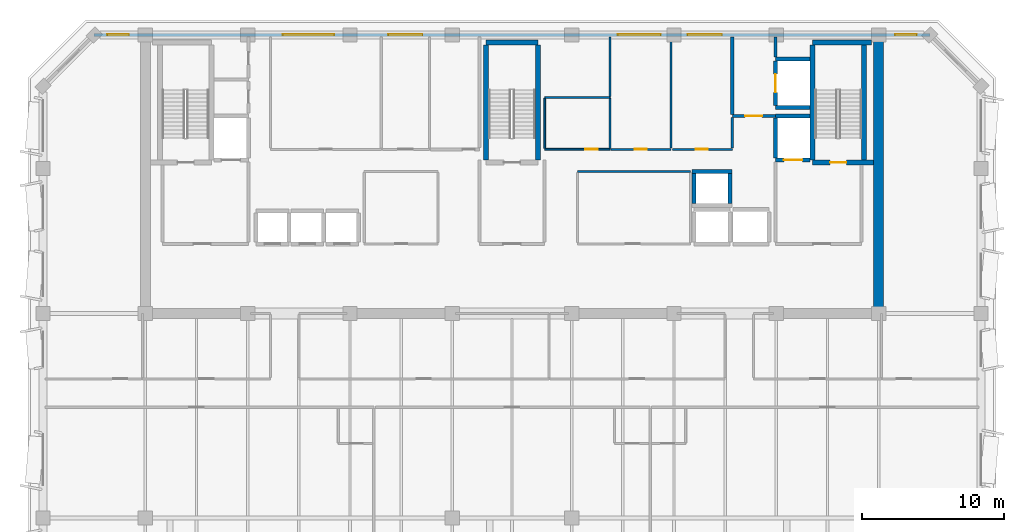
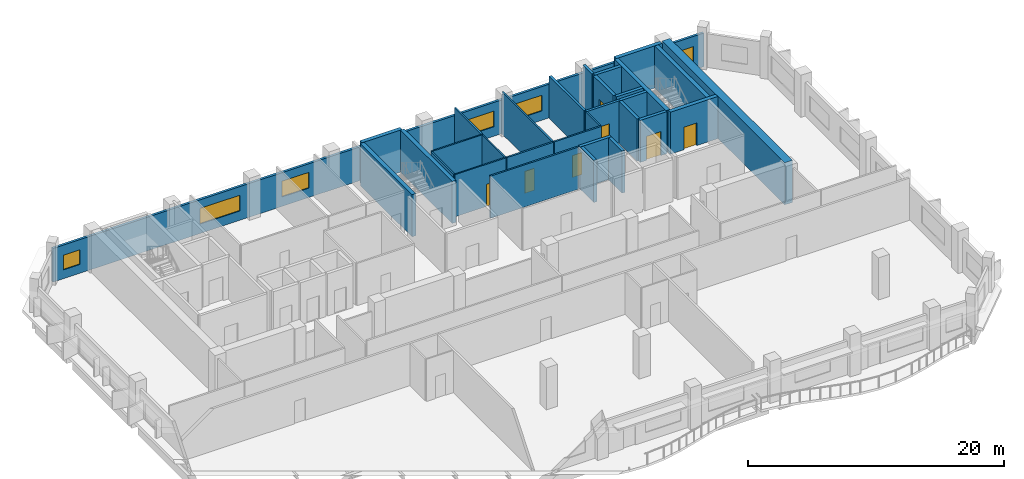
# One storey, part 6 of 10: 31 walls, 7 doors, 6 windows, 13 openings.
"""IFC4 building model written with IfcOpenShell, lengths in metres."""

from ifc_helpers import new_model, si_unit, direction, frame, frame_2d, origin, place, context, subcontext, project, spatial, rectangle, extrude, material, layer, layer_set, type_object, element, fill, save


model = new_model("IFC4")

# Units and contexts
model_context = context("Model", 3, precision=1e-05, world=origin(), true_north=direction((0.0, 1.0)))
body_context = subcontext(model_context, "Body", "Model", "MODEL_VIEW")
ifc_project = project(units=[si_unit("LENGTHUNIT", "METRE"), si_unit("AREAUNIT", "SQUARE_METRE"), si_unit("VOLUMEUNIT", "CUBIC_METRE"), si_unit("PLANEANGLEUNIT", "RADIAN"), si_unit("MASSUNIT", "GRAM", prefix="KILO")], contexts=[model_context])

# Site, building, storey
site_placement = place(None, origin())
site = spatial("IfcSite", under=ifc_project, at=site_placement, CompositionType="ELEMENT")
building_placement = place(site_placement, origin())
building = spatial("IfcBuilding", under=site, at=building_placement, Name="Kaelvorn Grand Hotel", CompositionType="ELEMENT")
storey_placement = place(building_placement, frame((0.0, 0.0, 290.300048828125)))
storey = spatial("IfcBuildingStorey", under=building, at=storey_placement, Name="L71", CompositionType="ELEMENT", Elevation=290.300048828125)

# Wall
ifc_material_1 = material(Name="Concrete C50/60", Category="concrete")
ifc_layer_1 = layer(ifc_material_1, 0.699951171875)
ifc_layer_set_1 = layer_set([ifc_layer_1], Name="Concrete C50/60")
wall_type_1 = type_object("IfcWallType", Name="WL-CORE-700-C50", PredefinedType="SHEAR", material=ifc_layer_set_1)
wall_1_placement = place(storey_placement, frame((67.800048828125, 29.39990234375, 0.0), z_axis=(0.0, 0.0, 1.0), x_axis=(0.0, 1.0, 0.0)))
element("IfcWall", 1, at=wall_1_placement, inside=storey, type_object=wall_type_1, Name="L71 Rear-Core East Shear Wall", PredefinedType="SHEAR", context=body_context, shape_type="SweptSolid", body=[
    extrude(rectangle(XDim=19.2001953125, YDim=0.699951171875, at=frame_2d((9.60009765625, 0.0))), origin(), (0.0, 0.0, 1.0), 4.02001953125),
])

# Wall, openings, windows
ifc_material_2 = material(Name="Concrete C40/50", Category="concrete")
ifc_layer_2 = layer(ifc_material_2, 0.219970703125)
ifc_layer_set_2 = layer_set([ifc_layer_2], Name="Concrete C40/50")
wall_type_2 = type_object("IfcWallType", Name="WL-EXT-220-C40", PredefinedType="SOLIDWALL", material=ifc_layer_set_2)
wall_2_placement = place(storey_placement, frame((71.39990234375, 49.0, 0.0), z_axis=(0.0, 0.0, 1.0), x_axis=(-1.0, 0.0, 0.0)))
wall_2 = element("IfcWall", 2, at=wall_2_placement, inside=storey, type_object=wall_type_2, Name="L71 Exterior Architectural Concrete Wall 05", PredefinedType="SOLIDWALL", context=body_context, shape_type="SweptSolid", body=[
    extrude(rectangle(XDim=58.7998046875, YDim=0.219970703125, at=frame_2d((29.39990234375, 0.0))), origin(), (0.0, 0.0, 1.0), 3.219970703125),
])
opening_1_placement = place(wall_2_placement, frame((56.364990234375, 0.0, 0.85009765625)))
opening_1 = element("IfcOpeningElement", 3, at=opening_1_placement, cuts=wall_2, Name="Opening W10", PredefinedType="OPENING", context=body_context, shape_type="SweptSolid", body=[
    extrude(rectangle(XDim=1.5, YDim=1.39990234375, at=frame_2d((0.75, 0.699951171875))), frame((0.0, 0.1201171875, 0.0), z_axis=(0.0, -1.0, 0.0), x_axis=(1.0, 0.0, 0.0)), (0.0, 0.0, 1.0), 0.239990234375),
])
opening_2_placement = place(wall_2_placement, frame((0.93505859375, 0.0, 0.85009765625)))
opening_2 = element("IfcOpeningElement", 4, at=opening_2_placement, cuts=wall_2, Name="Opening W10", PredefinedType="OPENING", context=body_context, shape_type="SweptSolid", body=[
    extrude(rectangle(XDim=1.5, YDim=1.39990234375, at=frame_2d((0.75, 0.699951171875))), frame((0.0, 0.1201171875, 0.0), z_axis=(0.0, -1.0, 0.0), x_axis=(1.0, 0.0, 0.0)), (0.0, 0.0, 1.0), 0.239990234375),
])
opening_3_placement = place(wall_2_placement, frame((41.9150390625, 0.0, 0.89990234375)))
opening_3 = element("IfcOpeningElement", 5, at=opening_3_placement, cuts=wall_2, Name="Opening W3", PredefinedType="OPENING", context=body_context, shape_type="SweptSolid", body=[
    extrude(rectangle(XDim=3.60009765625, YDim=1.5, at=frame_2d((1.800048828125, 0.75))), frame((0.0, 0.1201171875, 0.0), z_axis=(0.0, -1.0, 0.0), x_axis=(1.0, 0.0, 0.0)), (0.0, 0.0, 1.0), 0.239990234375),
])
opening_4_placement = place(wall_2_placement, frame((35.699951171875, 0.0, 0.89990234375)))
opening_4 = element("IfcOpeningElement", 6, at=opening_4_placement, cuts=wall_2, Name="Opening W6", PredefinedType="OPENING", context=body_context, shape_type="SweptSolid", body=[
    extrude(rectangle(XDim=2.39990234375, YDim=1.5, at=frame_2d((1.199951171875, 0.75))), frame((0.0, 0.1201171875, 0.0), z_axis=(0.0, -1.0, 0.0), x_axis=(1.0, 0.0, 0.0)), (0.0, 0.0, 1.0), 0.239990234375),
])
opening_5_placement = place(wall_2_placement, frame((18.949951171875, 0.0, 0.89990234375)))
opening_5 = element("IfcOpeningElement", 7, at=opening_5_placement, cuts=wall_2, Name="Opening W5", PredefinedType="OPENING", context=body_context, shape_type="SweptSolid", body=[
    extrude(rectangle(XDim=3.0, YDim=1.5, at=frame_2d((1.5, 0.75))), frame((0.0, 0.1201171875, 0.0), z_axis=(0.0, -1.0, 0.0), x_axis=(1.0, 0.0, 0.0)), (0.0, 0.0, 1.0), 0.239990234375),
])
opening_6_placement = place(wall_2_placement, frame((14.635009765625, 0.0, 0.89990234375)))
opening_6 = element("IfcOpeningElement", 8, at=opening_6_placement, cuts=wall_2, Name="Opening W6", PredefinedType="OPENING", context=body_context, shape_type="SweptSolid", body=[
    extrude(rectangle(XDim=2.39990234375, YDim=1.5, at=frame_2d((1.199951171875, 0.75))), frame((0.0, 0.1201171875, 0.0), z_axis=(0.0, -1.0, 0.0), x_axis=(1.0, 0.0, 0.0)), (0.0, 0.0, 1.0), 0.239990234375),
])
ifc_material_3 = material(Name="Laminated Low-E Glass", Category="glass")
window_type_1 = type_object("IfcWindowType", Name="WIN-COR-1500x1400", PartitioningType="SINGLE_PANEL", PredefinedType="WINDOW", material=ifc_material_3)
window_1_placement = place(opening_1_placement, origin())
window_1 = element("IfcWindow", 9, at=window_1_placement, inside=storey, type_object=window_type_1, Name="L71 North Wing Ribbon Window NW01", OverallHeight=1.39990234375, OverallWidth=1.5, PartitioningType="SINGLE_PANEL", PredefinedType="WINDOW", context=body_context, shape_type="SweptSolid", body=[
    extrude(rectangle(XDim=1.5, YDim=1.39990234375, at=frame_2d((0.75, 0.699951171875))), frame((0.0, 0.030029296875, 0.0), z_axis=(0.0, -1.0, 0.0), x_axis=(1.0, 0.0, 0.0)), (0.0, 0.0, 1.0), 0.06005859375),
])
fill(opening_1, window_1)
window_2_placement = place(opening_2_placement, origin())
window_2 = element("IfcWindow", 10, at=window_2_placement, inside=storey, type_object=window_type_1, Name="L71 North Wing Ribbon Window NW02", OverallHeight=1.39990234375, OverallWidth=1.5, PartitioningType="SINGLE_PANEL", PredefinedType="WINDOW", context=body_context, shape_type="SweptSolid", body=[
    extrude(rectangle(XDim=1.5, YDim=1.39990234375, at=frame_2d((0.75, 0.699951171875))), frame((0.0, 0.030029296875, 0.0), z_axis=(0.0, -1.0, 0.0), x_axis=(1.0, 0.0, 0.0)), (0.0, 0.0, 1.0), 0.06005859375),
])
fill(opening_2, window_2)
window_type_2 = type_object("IfcWindowType", Name="WIN-NTH-2400x1500", PartitioningType="SINGLE_PANEL", PredefinedType="WINDOW", material=ifc_material_3)
window_3_placement = place(opening_4_placement, origin())
window_3 = element("IfcWindow", 11, at=window_3_placement, inside=storey, type_object=window_type_2, Name="L71 North Core Clerestory Ribbon Window NC04", OverallHeight=1.5, OverallWidth=2.39990234375, PartitioningType="SINGLE_PANEL", PredefinedType="WINDOW", context=body_context, shape_type="SweptSolid", body=[
    extrude(rectangle(XDim=2.39990234375, YDim=1.5, at=frame_2d((1.199951171875, 0.75))), frame((0.0, 0.030029296875, 0.0), z_axis=(0.0, -1.0, 0.0), x_axis=(1.0, 0.0, 0.0)), (0.0, 0.0, 1.0), 0.06005859375),
])
fill(opening_4, window_3)
window_4_placement = place(opening_6_placement, origin())
window_4 = element("IfcWindow", 12, at=window_4_placement, inside=storey, type_object=window_type_2, Name="L71 North Core Clerestory Ribbon Window NC06", OverallHeight=1.5, OverallWidth=2.39990234375, PartitioningType="SINGLE_PANEL", PredefinedType="WINDOW", context=body_context, shape_type="SweptSolid", body=[
    extrude(rectangle(XDim=2.39990234375, YDim=1.5, at=frame_2d((1.199951171875, 0.75))), frame((0.0, 0.030029296875, 0.0), z_axis=(0.0, -1.0, 0.0), x_axis=(1.0, 0.0, 0.0)), (0.0, 0.0, 1.0), 0.06005859375),
])
fill(opening_6, window_4)
window_type_3 = type_object("IfcWindowType", Name="WIN-NTH-3000x1500", PartitioningType="SINGLE_PANEL", PredefinedType="WINDOW", material=ifc_material_3)
window_5_placement = place(opening_5_placement, origin())
window_5 = element("IfcWindow", 13, at=window_5_placement, inside=storey, type_object=window_type_3, Name="L71 North Core Clerestory Ribbon Window NC05", OverallHeight=1.5, OverallWidth=3.0, PartitioningType="SINGLE_PANEL", PredefinedType="WINDOW", context=body_context, shape_type="SweptSolid", body=[
    extrude(rectangle(XDim=3.0, YDim=1.5, at=frame_2d((1.5, 0.75))), frame((0.0, 0.030029296875, 0.0), z_axis=(0.0, -1.0, 0.0), x_axis=(1.0, 0.0, 0.0)), (0.0, 0.0, 1.0), 0.06005859375),
])
fill(opening_5, window_5)
window_type_4 = type_object("IfcWindowType", Name="WIN-RIB-3600x1750", PartitioningType="SINGLE_PANEL", PredefinedType="WINDOW", material=ifc_material_3)
window_6_placement = place(opening_3_placement, origin())
window_6 = element("IfcWindow", 14, at=window_6_placement, inside=storey, type_object=window_type_4, Name="L71 North Core Clerestory Ribbon Window NC03", OverallHeight=1.5, OverallWidth=3.60009765625, PartitioningType="SINGLE_PANEL", PredefinedType="WINDOW", context=body_context, shape_type="SweptSolid", body=[
    extrude(rectangle(XDim=3.60009765625, YDim=1.5, at=frame_2d((1.800048828125, 0.75))), frame((0.0, 0.030029296875, 0.0), z_axis=(0.0, -1.0, 0.0), x_axis=(1.0, 0.0, 0.0)), (0.0, 0.0, 1.0), 0.06005859375),
])
fill(opening_3, window_6)

# Wall, opening, door
ifc_material_4 = material(Name="Moisture-Resistant Tile & Stud Board")
ifc_layer_3 = layer(ifc_material_4, 0.125)
ifc_layer_set_3 = layer_set([ifc_layer_3], Name="Moisture-Resistant Tile & Stud Board")
wall_type_3 = type_object("IfcWallType", Name="WL-PART-125-WET", PredefinedType="PARTITIONING", material=ifc_layer_set_3)
wall_3_placement = place(storey_placement, frame((44.300048828125, 40.949951171875, 0.0), z_axis=(0.0, 0.0, 1.0), x_axis=(1.0, 0.0, 0.0)))
wall_3 = element("IfcWall", 15, at=wall_3_placement, inside=storey, type_object=wall_type_3, Name="L71 Accessible WC S Partition", PredefinedType="PARTITIONING", context=body_context, shape_type="SweptSolid", body=[
    extrude(rectangle(XDim=4.599853515625, YDim=0.125, at=frame_2d((2.2998046875, 0.0))), origin(), (0.0, 0.0, 1.0), 4.02001953125),
])
opening_7_placement = place(wall_3_placement, frame((2.85009765625, 0.0, 0.0)))
opening_7 = element("IfcOpeningElement", 16, at=opening_7_placement, cuts=wall_3, Name="Opening DI4", PredefinedType="OPENING", context=body_context, shape_type="SweptSolid", body=[
    extrude(rectangle(XDim=0.89990234375, YDim=2.10009765625, at=frame_2d((0.449951171875, 1.050048828125))), frame((0.0, 0.072509765625, 0.0), z_axis=(0.0, -1.0, 0.0), x_axis=(1.0, 0.0, 0.0)), (0.0, 0.0, 1.0), 0.14501953125),
])
ifc_material_5 = material(Name="Timber Veneer Leaf", Category="wood")
door_type_1 = type_object("IfcDoorType", Name="DR-INT-BATH-900x2100", OperationType="NOTDEFINED", PredefinedType="DOOR", material=ifc_material_5)
door_1_placement = place(opening_7_placement, origin())
door_1 = element("IfcDoor", 17, at=door_1_placement, inside=storey, type_object=door_type_1, Name="L71 Accessible WC Door", OperationType="SINGLE_SWING_LEFT", OverallHeight=2.10009765625, OverallWidth=0.89990234375, PredefinedType="DOOR", context=body_context, shape_type="SweptSolid", body=[
    extrude(rectangle(XDim=0.89990234375, YDim=2.10009765625, at=frame_2d((0.449951171875, 1.050048828125))), frame((0.0, 0.02490234375, 0.0), z_axis=(0.0, -1.0, 0.0), x_axis=(1.0, 0.0, 0.0)), (0.0, 0.0, 1.0), 0.050048828125),
])
fill(opening_7, door_1)

# Walls
wall_4_placement = place(storey_placement, frame((44.300048828125, 44.60009765625, 0.0), z_axis=(0.0, 0.0, 1.0), x_axis=(1.0, 0.0, 0.0)))
element("IfcWall", 18, at=wall_4_placement, inside=storey, type_object=wall_type_3, Name="L71 Accessible WC N Partition", PredefinedType="PARTITIONING", context=body_context, shape_type="SweptSolid", body=[
    extrude(rectangle(XDim=4.599853515625, YDim=0.125, at=frame_2d((2.2998046875, 0.0))), origin(), (0.0, 0.0, 1.0), 4.02001953125),
])
for number, where, z_axis, x_axis, name in (
    (19, (44.300048828125, 41.017578125, 0.0), (0.0, 0.0, 1.0), (0.0, 1.0, 0.0), "L71 Accessible WC W Partition"),
    (20, (48.89990234375, 41.017578125, 0.0), (0.0, 0.0, 1.0), (0.0, 1.0, 0.0), "L71 Accessible WC E Partition"),
):
    element("IfcWall", number, at=place(storey_placement, frame(where, z_axis=z_axis, x_axis=x_axis)), inside=storey, type_object=wall_type_3, Name=name, PredefinedType="PARTITIONING", context=body_context, shape_type="SweptSolid", body=[
        extrude(rectangle(XDim=3.514892578125, YDim=0.125, at=frame_2d((1.75732421875, 0.0))), origin(), (0.0, 0.0, 1.0), 4.02001953125),
    ])
ifc_material_6 = material(Name="Acoustic Gypsum & Stud Partition")
ifc_layer_4 = layer(ifc_material_6, 0.14990234375)
ifc_layer_set_4 = layer_set([ifc_layer_4], Name="Acoustic Gypsum & Stud Partition")
wall_type_4 = type_object("IfcWallType", Name="WL-PART-150-EI60", PredefinedType="PARTITIONING", material=ifc_layer_set_4)
wall_5_placement = place(storey_placement, frame((46.60009765625, 39.39990234375, 0.0), z_axis=(0.0, 0.0, 1.0), x_axis=(1.0, 0.0, 0.0)))
element("IfcWall", 21, at=wall_5_placement, inside=storey, type_object=wall_type_4, Name="L71 Sky Concierge & Butler Pantry Lounge N Partition", PredefinedType="PARTITIONING", context=body_context, shape_type="SweptSolid", body=[
    extrude(rectangle(XDim=7.949951171875, YDim=0.14990234375, at=frame_2d((3.97509765625, 0.0))), origin(), (0.0, 0.0, 1.0), 4.02001953125),
])

# Wall, opening, door
wall_6_placement = place(storey_placement, frame((48.967529296875, 40.949951171875, 0.0), z_axis=(0.0, 0.0, 1.0), x_axis=(1.0, 0.0, 0.0)))
wall_6 = element("IfcWall", 22, at=wall_6_placement, inside=storey, type_object=wall_type_4, Name="L71 Minibar & Glassware Store S Partition", PredefinedType="PARTITIONING", context=body_context, shape_type="SweptSolid", body=[
    extrude(rectangle(XDim=4.232421875, YDim=0.14990234375, at=frame_2d((2.1162109375, 0.0))), origin(), (0.0, 0.0, 1.0), 4.02001953125),
])
opening_8_placement = place(wall_6_placement, frame((1.657470703125, 0.0, 0.0)))
opening_8 = element("IfcOpeningElement", 23, at=opening_8_placement, cuts=wall_6, Name="Opening DI7", PredefinedType="OPENING", context=body_context, shape_type="SweptSolid", body=[
    extrude(rectangle(XDim=0.85009765625, YDim=2.10009765625, at=frame_2d((0.425048828125, 1.050048828125))), frame((0.0, 0.0849609375, 0.0), z_axis=(0.0, -1.0, 0.0), x_axis=(1.0, 0.0, 0.0)), (0.0, 0.0, 1.0), 0.169921875),
])
ifc_material_7 = material(Name="Powder-Coated Steel Leaf", Category="steel")
door_type_2 = type_object("IfcDoorType", Name="DR-INT-RISER-850x2100", OperationType="NOTDEFINED", PredefinedType="DOOR", material=ifc_material_7)
door_2_placement = place(opening_8_placement, origin())
door_2 = element("IfcDoor", 24, at=door_2_placement, inside=storey, type_object=door_type_2, Name="L71 Minibar & Glassware Store Door", OperationType="SINGLE_SWING_RIGHT", OverallHeight=2.10009765625, OverallWidth=0.85009765625, PredefinedType="DOOR", context=body_context, shape_type="SweptSolid", body=[
    extrude(rectangle(XDim=0.85009765625, YDim=2.10009765625, at=frame_2d((0.425048828125, 1.050048828125))), frame((0.0, 0.02490234375, 0.0), z_axis=(0.0, -1.0, 0.0), x_axis=(1.0, 0.0, 0.0)), (0.0, 0.0, 1.0), 0.050048828125),
])
fill(opening_8, door_2)

# Walls
wall_7_placement = place(storey_placement, frame((48.89990234375, 44.66748046875, 0.0), z_axis=(0.0, 0.0, 1.0), x_axis=(0.0, 1.0, 0.0)))
element("IfcWall", 25, at=wall_7_placement, inside=storey, type_object=wall_type_4, Name="L71 Minibar & Glassware Store W Partition", PredefinedType="PARTITIONING", context=body_context, shape_type="SweptSolid", body=[
    extrude(rectangle(XDim=4.1826171875, YDim=0.14990234375, at=frame_2d((2.09130859375, 0.0))), origin(), (0.0, 0.0, 1.0), 4.02001953125),
])
wall_8_placement = place(storey_placement, frame((53.199951171875, 41.030029296875, 0.0), z_axis=(0.0, 0.0, 1.0), x_axis=(0.0, 1.0, 0.0)))
element("IfcWall", 26, at=wall_8_placement, inside=storey, type_object=wall_type_4, Name="L71 Minibar & Glassware Store E Partition", PredefinedType="PARTITIONING", context=body_context, shape_type="SweptSolid", body=[
    extrude(rectangle(XDim=7.820068359375, YDim=0.14990234375, at=frame_2d((3.91015625, 0.0))), origin(), (0.0, 0.0, 1.0), 4.02001953125),
])

# Wall, opening, door
wall_9_placement = place(storey_placement, frame((53.280029296875, 40.949951171875, 0.0), z_axis=(0.0, 0.0, 1.0), x_axis=(1.0, 0.0, 0.0)))
wall_9 = element("IfcWall", 27, at=wall_9_placement, inside=storey, type_object=wall_type_4, Name="L71 Floor IT & Comms Room S Partition", PredefinedType="PARTITIONING", context=body_context, shape_type="SweptSolid", body=[
    extrude(rectangle(XDim=4.219970703125, YDim=0.14990234375, at=frame_2d((2.10986328125, 0.0))), origin(), (0.0, 0.0, 1.0), 4.02001953125),
])
opening_9_placement = place(wall_9_placement, frame((1.64501953125, 0.0, 0.0)))
opening_9 = element("IfcOpeningElement", 28, at=opening_9_placement, cuts=wall_9, Name="Opening DI7", PredefinedType="OPENING", context=body_context, shape_type="SweptSolid", body=[
    extrude(rectangle(XDim=0.85009765625, YDim=2.10009765625, at=frame_2d((0.425048828125, 1.050048828125))), frame((0.0, 0.0849609375, 0.0), z_axis=(0.0, -1.0, 0.0), x_axis=(1.0, 0.0, 0.0)), (0.0, 0.0, 1.0), 0.169921875),
])
door_3_placement = place(opening_9_placement, origin())
door_3 = element("IfcDoor", 29, at=door_3_placement, inside=storey, type_object=door_type_2, Name="L71 Floor IT & Comms Room Door", OperationType="SINGLE_SWING_LEFT", OverallHeight=2.10009765625, OverallWidth=0.85009765625, PredefinedType="DOOR", context=body_context, shape_type="SweptSolid", body=[
    extrude(rectangle(XDim=0.85009765625, YDim=2.10009765625, at=frame_2d((0.425048828125, 1.050048828125))), frame((0.0, 0.02490234375, 0.0), z_axis=(0.0, -1.0, 0.0), x_axis=(1.0, 0.0, 0.0)), (0.0, 0.0, 1.0), 0.050048828125),
])
fill(opening_9, door_3)

# Wall
wall_10_placement = place(storey_placement, frame((57.5, 41.030029296875, 0.0), z_axis=(0.0, 0.0, 1.0), x_axis=(0.0, 1.0, 0.0)))
element("IfcWall", 30, at=wall_10_placement, inside=storey, type_object=wall_type_4, Name="L71 Floor IT & Comms Room E Partition", PredefinedType="PARTITIONING", context=body_context, shape_type="SweptSolid", body=[
    extrude(rectangle(XDim=2.155029296875, YDim=0.14990234375, at=frame_2d((1.07763671875, 0.0))), origin(), (0.0, 0.0, 1.0), 4.02001953125),
])

# Wall, opening, door
ifc_layer_5 = layer(ifc_material_2, 0.219970703125)
ifc_layer_set_5 = layer_set([ifc_layer_5], Name="Concrete C40/50")
wall_type_5 = type_object("IfcWallType", Name="WL-PART-220-EI120", PredefinedType="PARTITIONING", material=ifc_layer_set_5)
wall_11_placement = place(storey_placement, frame((57.5, 43.300048828125, 0.0), z_axis=(0.0, 0.0, 1.0), x_axis=(1.0, 0.0, 0.0)))
wall_11 = element("IfcWall", 31, at=wall_11_placement, inside=storey, type_object=wall_type_5, Name="L71 Service Lift Lobby S Partition", PredefinedType="PARTITIONING", context=body_context, shape_type="SweptSolid", body=[
    extrude(rectangle(XDim=3.0400390625, YDim=0.219970703125, at=frame_2d((1.52001953125, 0.0))), origin(), (0.0, 0.0, 1.0), 4.02001953125),
])
opening_10_placement = place(wall_11_placement, frame((0.89990234375, 0.0, 0.0)))
opening_10 = element("IfcOpeningElement", 32, at=opening_10_placement, cuts=wall_11, Name="Opening DI2", PredefinedType="OPENING", context=body_context, shape_type="SweptSolid", body=[
    extrude(rectangle(XDim=1.199951171875, YDim=2.14990234375, at=frame_2d((0.60009765625, 1.074951171875))), frame((0.0, 0.1201171875, 0.0), z_axis=(0.0, -1.0, 0.0), x_axis=(1.0, 0.0, 0.0)), (0.0, 0.0, 1.0), 0.239990234375),
])
ifc_material_8 = material(Name="Timber Veneer Fire Leaf", Category="wood")
door_type_3 = type_object("IfcDoorType", Name="DR-INT-FFLOB-1200x2150", OperationType="NOTDEFINED", PredefinedType="DOOR", material=ifc_material_8)
door_4_placement = place(opening_10_placement, origin())
door_4 = element("IfcDoor", 33, at=door_4_placement, inside=storey, type_object=door_type_3, Name="L71 Service Lift Lobby Door", OperationType="SINGLE_SWING_LEFT", OverallHeight=2.14990234375, OverallWidth=1.199951171875, PredefinedType="DOOR", context=body_context, shape_type="SweptSolid", body=[
    extrude(rectangle(XDim=1.199951171875, YDim=2.14990234375, at=frame_2d((0.60009765625, 1.074951171875))), frame((0.0, 0.02490234375, 0.0), z_axis=(0.0, -1.0, 0.0), x_axis=(1.0, 0.0, 0.0)), (0.0, 0.0, 1.0), 0.050048828125),
])
fill(opening_10, door_4)

# Walls
wall_12_placement = place(storey_placement, frame((57.5, 43.4150390625, 0.0), z_axis=(0.0, 0.0, 1.0), x_axis=(0.0, 1.0, 0.0)))
element("IfcWall", 34, at=wall_12_placement, inside=storey, type_object=wall_type_5, Name="L71 Service Lift Lobby W Partition", PredefinedType="PARTITIONING", context=body_context, shape_type="SweptSolid", body=[
    extrude(rectangle(XDim=5.43505859375, YDim=0.219970703125, at=frame_2d((2.717529296875, 0.0))), origin(), (0.0, 0.0, 1.0), 4.02001953125),
])
wall_13_placement = place(storey_placement, frame((60.550048828125, 47.445068359375, 0.0), z_axis=(0.0, 0.0, 1.0), x_axis=(0.0, 1.0, 0.0)))
element("IfcWall", 35, at=wall_13_placement, inside=storey, type_object=wall_type_5, Name="L71 Service Lift Lobby E Partition", PredefinedType="PARTITIONING", context=body_context, shape_type="SweptSolid", body=[
    extrude(rectangle(XDim=1.405029296875, YDim=0.219970703125, at=frame_2d((0.70263671875, 0.0))), origin(), (0.0, 0.0, 1.0), 4.02001953125),
])
ifc_layer_6 = layer(ifc_material_1, 0.280029296875)
ifc_layer_set_6 = layer_set([ifc_layer_6], Name="Concrete C50/60")
wall_type_6 = type_object("IfcWallType", Name="WL-SHAFT-280-C50", PredefinedType="SHEAR", material=ifc_layer_set_6)
wall_14_placement = place(storey_placement, frame((54.659912109375, 39.39990234375, 0.0), z_axis=(0.0, 0.0, 1.0), x_axis=(1.0, 0.0, 0.0)))
element("IfcWall", 36, at=wall_14_placement, inside=storey, type_object=wall_type_6, Name="L71 Lift OL-3 Shaft North Wall", PredefinedType="SHEAR", context=body_context, shape_type="SweptSolid", body=[
    extrude(rectangle(XDim=2.830078125, YDim=0.280029296875, at=frame_2d((1.4150390625, 0.0))), origin(), (0.0, 0.0, 1.0), 4.02001953125),
])
for number, where, z_axis, x_axis, name in (
    (37, (54.800048828125, 37.14501953125, 0.0), (0.0, 0.0, 1.0), (0.0, 1.0, 0.0), "L71 Lift OL-3 Shaft West Wall"),
    (38, (57.35009765625, 37.14501953125, 0.0), (0.0, 0.0, 1.0), (0.0, 1.0, 0.0), "L71 Lift OL-3 Shaft East Wall"),
):
    element("IfcWall", number, at=place(storey_placement, frame(where, z_axis=z_axis, x_axis=x_axis)), inside=storey, type_object=wall_type_6, Name=name, PredefinedType="SHEAR", context=body_context, shape_type="SweptSolid", body=[
        extrude(rectangle(XDim=2.10986328125, YDim=0.280029296875, at=frame_2d((1.054931640625, 0.0))), origin(), (0.0, 0.0, 1.0), 4.02001953125),
    ])

# Wall, opening, door
wall_15_placement = place(storey_placement, frame((60.550048828125, 40.199951171875, 0.0), z_axis=(0.0, 0.0, 1.0), x_axis=(1.0, 0.0, 0.0)))
wall_15 = element("IfcWall", 39, at=wall_15_placement, inside=storey, type_object=wall_type_6, Name="L71 Lift FFL2 Shaft South Wall", PredefinedType="SHEAR", context=body_context, shape_type="SweptSolid", body=[
    extrude(rectangle(XDim=2.4150390625, YDim=0.280029296875, at=frame_2d((1.20751953125, 0.0))), origin(), (0.0, 0.0, 1.0), 4.02001953125),
])
opening_11_placement = place(wall_15_placement, frame((0.574951171875, 0.0, 0.0)))
opening_11 = element("IfcOpeningElement", 40, at=opening_11_placement, cuts=wall_15, Name="Opening LD-FFL2", PredefinedType="OPENING", context=body_context, shape_type="SweptSolid", body=[
    extrude(rectangle(XDim=1.300048828125, YDim=2.300048828125, at=frame_2d((0.64990234375, 1.14990234375))), frame((0.0, 0.14990234375, 0.0), z_axis=(0.0, -1.0, 0.0), x_axis=(1.0, 0.0, 0.0)), (0.0, 0.0, 1.0), 0.300048828125),
])
ifc_material_9 = material(Name="Stainless Steel", Category="steel")
door_type_4 = type_object("IfcDoorType", Name="DR-LIFT-SERV-1300x2300", OperationType="DOUBLE_DOOR_SLIDING", PredefinedType="DOOR", material=ifc_material_9)
door_5_placement = place(opening_11_placement, origin())
door_5 = element("IfcDoor", 41, at=door_5_placement, inside=storey, type_object=door_type_4, Name="L71 Lift FFL2 Sliding Landing Door LD-FFL2", OperationType="DOUBLE_DOOR_SLIDING", OverallHeight=2.300048828125, OverallWidth=1.300048828125, PredefinedType="DOOR", context=body_context, shape_type="SweptSolid", body=[
    extrude(rectangle(XDim=1.300048828125, YDim=2.300048828125, at=frame_2d((0.64990234375, 1.14990234375))), frame((0.0, 0.02490234375, 0.0), z_axis=(0.0, -1.0, 0.0), x_axis=(1.0, 0.0, 0.0)), (0.0, 0.0, 1.0), 0.050048828125),
])
fill(opening_11, door_5)

# Walls
wall_16_placement = place(storey_placement, frame((60.550048828125, 43.300048828125, 0.0), z_axis=(0.0, 0.0, 1.0), x_axis=(1.0, 0.0, 0.0)))
element("IfcWall", 42, at=wall_16_placement, inside=storey, type_object=wall_type_6, Name="L71 Lift FFL2 Shaft North Wall", PredefinedType="SHEAR", context=body_context, shape_type="SweptSolid", body=[
    extrude(rectangle(XDim=2.4150390625, YDim=0.280029296875, at=frame_2d((1.20751953125, 0.0))), origin(), (0.0, 0.0, 1.0), 4.02001953125),
])
wall_17_placement = place(storey_placement, frame((60.550048828125, 40.344970703125, 0.0), z_axis=(0.0, 0.0, 1.0), x_axis=(0.0, 1.0, 0.0)))
element("IfcWall", 43, at=wall_17_placement, inside=storey, type_object=wall_type_6, Name="L71 Lift FFL2 Shaft West Wall", PredefinedType="SHEAR", context=body_context, shape_type="SweptSolid", body=[
    extrude(rectangle(XDim=2.81005859375, YDim=0.280029296875, at=frame_2d((1.405029296875, 0.0))), origin(), (0.0, 0.0, 1.0), 4.02001953125),
])
for number, where, z_axis, x_axis, name in (
    (44, (60.550048828125, 43.89990234375, 0.0), (0.0, 0.0, 1.0), (1.0, 0.0, 0.0), "L71 Lift SV1 Shaft South Wall"),
    (45, (60.550048828125, 47.300048828125, 0.0), (0.0, 0.0, 1.0), (1.0, 0.0, 0.0), "L71 Lift SV1 Shaft North Wall"),
):
    element("IfcWall", number, at=place(storey_placement, frame(where, z_axis=z_axis, x_axis=x_axis)), inside=storey, type_object=wall_type_6, Name=name, PredefinedType="SHEAR", context=body_context, shape_type="SweptSolid", body=[
        extrude(rectangle(XDim=2.4150390625, YDim=0.280029296875, at=frame_2d((1.20751953125, 0.0))), origin(), (0.0, 0.0, 1.0), 4.02001953125),
    ])

# Wall, opening, door
wall_18_placement = place(storey_placement, frame((60.550048828125, 44.044921875, 0.0), z_axis=(0.0, 0.0, 1.0), x_axis=(0.0, 1.0, 0.0)))
wall_18 = element("IfcWall", 46, at=wall_18_placement, inside=storey, type_object=wall_type_6, Name="L71 Lift SV1 Shaft West Wall", PredefinedType="SHEAR", context=body_context, shape_type="SweptSolid", body=[
    extrude(rectangle(XDim=3.110107421875, YDim=0.280029296875, at=frame_2d((1.55517578125, 0.0))), origin(), (0.0, 0.0, 1.0), 4.02001953125),
])
opening_12_placement = place(wall_18_placement, frame((0.905029296875, 0.0, 0.0)))
opening_12 = element("IfcOpeningElement", 47, at=opening_12_placement, cuts=wall_18, Name="Opening LD-SV1", PredefinedType="OPENING", context=body_context, shape_type="SweptSolid", body=[
    extrude(rectangle(XDim=1.300048828125, YDim=2.300048828125, at=frame_2d((0.64990234375, 1.14990234375))), frame((0.0, 0.14990234375, 0.0), z_axis=(0.0, -1.0, 0.0), x_axis=(1.0, 0.0, 0.0)), (0.0, 0.0, 1.0), 0.300048828125),
])
door_6_placement = place(opening_12_placement, origin())
door_6 = element("IfcDoor", 48, at=door_6_placement, inside=storey, type_object=door_type_4, Name="L71 Lift SV1 Sliding Landing Door LD-SV1", OperationType="DOUBLE_DOOR_SLIDING", OverallHeight=2.300048828125, OverallWidth=1.300048828125, PredefinedType="DOOR", context=body_context, shape_type="SweptSolid", body=[
    extrude(rectangle(XDim=1.300048828125, YDim=2.300048828125, at=frame_2d((0.64990234375, 1.14990234375))), frame((0.0, 0.02490234375, 0.0), z_axis=(0.0, -1.0, 0.0), x_axis=(1.0, 0.0, 0.0)), (0.0, 0.0, 1.0), 0.050048828125),
])
fill(opening_12, door_6)

# Walls
ifc_material_10 = material(Name="Concrete C60/75", Category="concrete")
ifc_layer_7 = layer(ifc_material_10, 0.35009765625)
ifc_layer_set_7 = layer_set([ifc_layer_7], Name="Concrete C60/75")
wall_type_7 = type_object("IfcWallType", Name="WL-SHAFT-350-C60", PredefinedType="SHEAR", material=ifc_layer_set_7)
wall_19_placement = place(storey_placement, frame((40.18505859375, 48.47509765625, 0.0), z_axis=(0.0, 0.0, 1.0), x_axis=(1.0, 0.0, 0.0)))
element("IfcWall", 49, at=wall_19_placement, inside=storey, type_object=wall_type_7, Name="L71 ST2 Stair Shaft North Wall", PredefinedType="SHEAR", context=body_context, shape_type="SweptSolid", body=[
    extrude(rectangle(XDim=3.6298828125, YDim=0.35009765625, at=frame_2d((1.81494140625, 0.0))), origin(), (0.0, 0.0, 1.0), 4.02001953125),
])
for number, where, z_axis, x_axis, name in (
    (50, (40.18505859375, 40.205078125, 0.0), (0.0, 0.0, 1.0), (0.0, 1.0, 0.0), "L71 ST2 Stair Shaft West Wall"),
    (51, (43.81494140625, 40.205078125, 0.0), (0.0, 0.0, 1.0), (0.0, 1.0, 0.0), "L71 ST2 Stair Shaft East Wall"),
):
    element("IfcWall", number, at=place(storey_placement, frame(where, z_axis=z_axis, x_axis=x_axis)), inside=storey, type_object=wall_type_7, Name=name, PredefinedType="SHEAR", context=body_context, shape_type="SweptSolid", body=[
        extrude(rectangle(XDim=8.08984375, YDim=0.35009765625, at=frame_2d((4.044921875, 0.0))), origin(), (0.0, 0.0, 1.0), 4.02001953125),
    ])

# Wall, opening, door
wall_20_placement = place(storey_placement, frame((63.14501953125, 40.02490234375, 0.0), z_axis=(0.0, 0.0, 1.0), x_axis=(1.0, 0.0, 0.0)))
wall_20 = element("IfcWall", 52, at=wall_20_placement, inside=storey, type_object=wall_type_7, Name="L71 ST3 Stair Shaft South Wall", PredefinedType="SHEAR", context=body_context, shape_type="SweptSolid", body=[
    extrude(rectangle(XDim=4.300048828125, YDim=0.35009765625, at=frame_2d((2.14990234375, 0.0))), origin(), (0.0, 0.0, 1.0), 4.02001953125),
])
opening_13_placement = place(wall_20_placement, frame((1.239990234375, 0.0, 0.0)))
opening_13 = element("IfcOpeningElement", 53, at=opening_13_placement, cuts=wall_20, Name="Opening DI1", PredefinedType="OPENING", context=body_context, shape_type="SweptSolid", body=[
    extrude(rectangle(XDim=1.14990234375, YDim=2.14990234375, at=frame_2d((0.574951171875, 1.074951171875))), frame((0.0, 0.18505859375, 0.0), z_axis=(0.0, -1.0, 0.0), x_axis=(1.0, 0.0, 0.0)), (0.0, 0.0, 1.0), 0.3701171875),
])
door_type_5 = type_object("IfcDoorType", Name="DR-INT-STAIR-1150x2150", OperationType="NOTDEFINED", PredefinedType="DOOR", material=ifc_material_8)
door_7_placement = place(opening_13_placement, origin())
door_7 = element("IfcDoor", 54, at=door_7_placement, inside=storey, type_object=door_type_5, Name="L71 ST3 Exit Stair Fire Door", OperationType="SINGLE_SWING_LEFT", OverallHeight=2.14990234375, OverallWidth=1.14990234375, PredefinedType="DOOR", context=body_context, shape_type="SweptSolid", body=[
    extrude(rectangle(XDim=1.14990234375, YDim=2.14990234375, at=frame_2d((0.574951171875, 1.074951171875))), frame((0.0, 0.02490234375, 0.0), z_axis=(0.0, -1.0, 0.0), x_axis=(1.0, 0.0, 0.0)), (0.0, 0.0, 1.0), 0.050048828125),
])
fill(opening_13, door_7)

# Walls
wall_21_placement = place(storey_placement, frame((63.14501953125, 48.47509765625, 0.0), z_axis=(0.0, 0.0, 1.0), x_axis=(1.0, 0.0, 0.0)))
element("IfcWall", 55, at=wall_21_placement, inside=storey, type_object=wall_type_7, Name="L71 ST3 Stair Shaft North Wall", PredefinedType="SHEAR", context=body_context, shape_type="SweptSolid", body=[
    extrude(rectangle(XDim=4.14990234375, YDim=0.35009765625, at=frame_2d((2.074951171875, 0.0))), origin(), (0.0, 0.0, 1.0), 4.02001953125),
])
for number, where, z_axis, x_axis, name in (
    (56, (63.14501953125, 40.205078125, 0.0), (0.0, 0.0, 1.0), (0.0, 1.0, 0.0), "L71 ST3 Stair Shaft West Wall"),
    (57, (66.77490234375, 40.205078125, 0.0), (0.0, 0.0, 1.0), (0.0, 1.0, 0.0), "L71 ST3 Stair Shaft East Wall"),
):
    element("IfcWall", number, at=place(storey_placement, frame(where, z_axis=z_axis, x_axis=x_axis)), inside=storey, type_object=wall_type_7, Name=name, PredefinedType="SHEAR", context=body_context, shape_type="SweptSolid", body=[
        extrude(rectangle(XDim=8.08984375, YDim=0.35009765625, at=frame_2d((4.044921875, 0.0))), origin(), (0.0, 0.0, 1.0), 4.02001953125),
    ])

save(model, "model.ifc")
